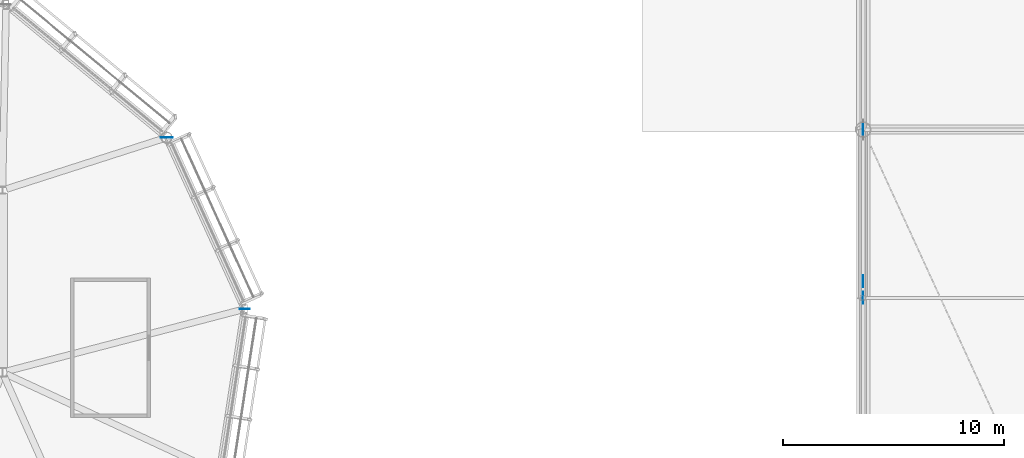
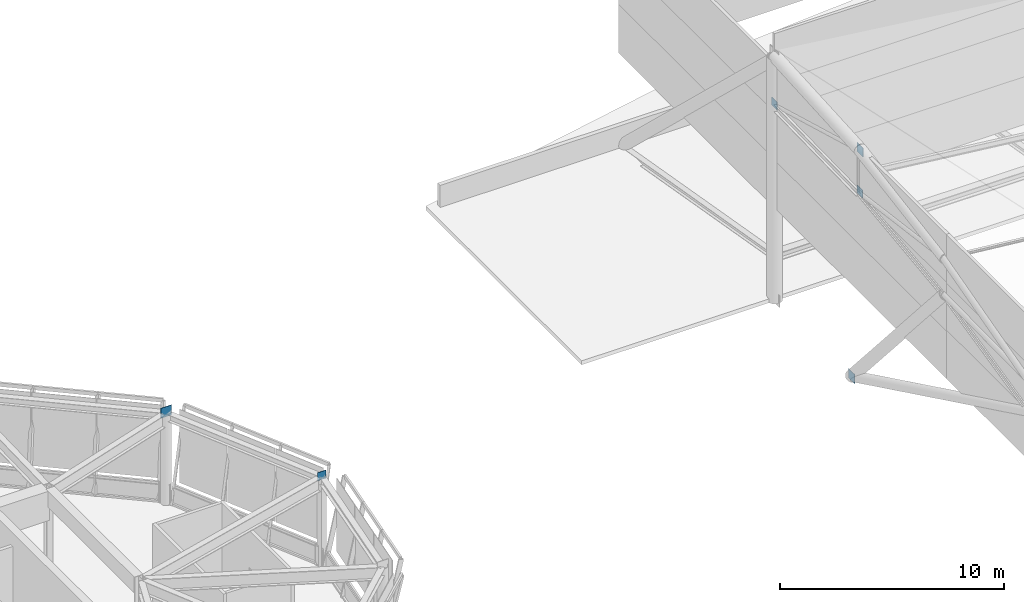
# One storey, part 94 of 113: 6 plates.
"""IFC4 building model written with IfcOpenShell, lengths in metres."""

from ifc_helpers import new_model, si_unit, direction, frame, origin, origin_2d, place, context, subcontext, project, spatial, rectangle, extrude, material, layer, layer_set, type_object, element, save


model = new_model("IFC4")

# Units and contexts
model_context = context("Model", 3, precision=1e-05, world=origin(), true_north=direction((0.0, 1.0)))
body_context = subcontext(model_context, "Body", "Model", "MODEL_VIEW")
ifc_project = project(units=[si_unit("LENGTHUNIT", "METRE"), si_unit("AREAUNIT", "SQUARE_METRE"), si_unit("VOLUMEUNIT", "CUBIC_METRE"), si_unit("PLANEANGLEUNIT", "RADIAN"), si_unit("MASSUNIT", "GRAM", prefix="KILO")], contexts=[model_context])

# Site, building, storey
site_placement = place(None, origin())
site = spatial("IfcSite", under=ifc_project, at=site_placement, CompositionType="ELEMENT")
building_placement = place(site_placement, origin())
building = spatial("IfcBuilding", under=site, at=building_placement, Name="Linyun Crest Stadium", CompositionType="ELEMENT")
storey_placement = place(building_placement, frame((0.0, 0.0, 26.39990234375)))
storey = spatial("IfcBuildingStorey", under=building, at=storey_placement, Name="L06", CompositionType="ELEMENT", Elevation=26.39990234375)

# Plates
ifc_material_1 = material(Name="Steel Q420C", Category="steel")
ifc_layer_1 = layer(ifc_material_1, 0.02392578125)
ifc_layer_set_1 = layer_set([ifc_layer_1], Name="Steel Q420C")
plate_type_1 = type_object("IfcPlateType", Name="EP02", PredefinedType="USERDEFINED", material=ifc_layer_set_1)
plate_1_placement = place(storey_placement, frame((-56.02099609375, 83.3720703125, 4.72509765625), z_axis=(0.0, 0.0, 1.0), x_axis=(1.0, 0.0, 0.0)))
element("IfcPlate", 1, at=plate_1_placement, inside=storey, type_object=plate_type_1, Name="Hollow section cap end plate EP02 348", ObjectType="END PLATE", PredefinedType="USERDEFINED", context=body_context, shape_type="SweptSolid", body=[
    extrude(rectangle(XDim=0.43994140625, YDim=0.02392578125, at=origin_2d()), origin(), (0.0, 0.0, 1.0), 0.43994140625),
])
plate_2_placement = place(storey_placement, frame((-59.55908203125, 91.139892578125, 4.6708984375), z_axis=(0.0, 0.0, 1.0), x_axis=(1.0, 0.0, 0.0)))
element("IfcPlate", 2, at=plate_2_placement, inside=storey, type_object=plate_type_1, Name="Hollow section cap end plate EP02 353", ObjectType="END PLATE", PredefinedType="USERDEFINED", context=body_context, shape_type="SweptSolid", body=[
    extrude(rectangle(XDim=0.548095703125, YDim=0.02392578125, at=origin_2d()), origin(), (0.0, 0.0, 1.0), 0.548095703125),
])
ifc_material_2 = material(Name="Steel Q355C", Category="steel")
ifc_layer_2 = layer(ifc_material_2, 0.02392578125)
ifc_layer_set_2 = layer_set([ifc_layer_2], Name="Steel Q355C")
plate_type_2 = type_object("IfcPlateType", Name="NP01", PredefinedType="USERDEFINED", material=ifc_layer_set_2)
for number, where, z_axis, x_axis, name in (
    (3, (-28.0, 91.5, 10.230224609375), (0.0, 0.0, 1.0), (0.0, 1.0, 0.0), "Roof bottom-chord node gusset plate NP01 216"),
    (4, (-28.0, 83.875, 10.068115234375), (0.0, 0.0, 1.0), (0.0, 1.0, 0.0), "Roof bottom-chord node gusset plate NP01 217"),
):
    element("IfcPlate", number, at=place(storey_placement, frame(where, z_axis=z_axis, x_axis=x_axis)), inside=storey, type_object=plate_type_2, Name=name, ObjectType="GUSSET PLATE", PredefinedType="USERDEFINED", context=body_context, shape_type="SweptSolid", body=[
        extrude(rectangle(XDim=0.47998046875, YDim=0.02392578125, at=origin_2d()), origin(), (0.0, 0.0, 1.0), 0.43994140625),
    ])
ifc_material_3 = material(Name="Steel Q420C", Category="steel")
ifc_layer_3 = layer(ifc_material_3, 0.028076171875)
ifc_layer_set_3 = layer_set([ifc_layer_3], Name="Steel Q420C")
plate_type_3 = type_object("IfcPlateType", Name="NP02", PredefinedType="USERDEFINED", material=ifc_layer_set_3)
for number, where, z_axis, x_axis, name in (
    (5, (-28.0, 83.875, 12.336181640625), (0.0, 0.0, 1.0), (0.0, 1.0, 0.0), "Roof truss node gusset plate NP02 211"),
    (6, (-28.0, 84.625, -0.454833984375), (0.0, 0.0, 1.0), (0.0, 1.0, 0.0), "Roof V-strut base gusset plate NP02 221"),
):
    element("IfcPlate", number, at=place(storey_placement, frame(where, z_axis=z_axis, x_axis=x_axis)), inside=storey, type_object=plate_type_3, Name=name, ObjectType="GUSSET PLATE", PredefinedType="USERDEFINED", context=body_context, shape_type="SweptSolid", body=[
        extrude(rectangle(XDim=0.5400390625, YDim=0.028076171875, at=origin_2d()), origin(), (0.0, 0.0, 1.0), 0.47998046875),
    ])

save(model, "model.ifc")
